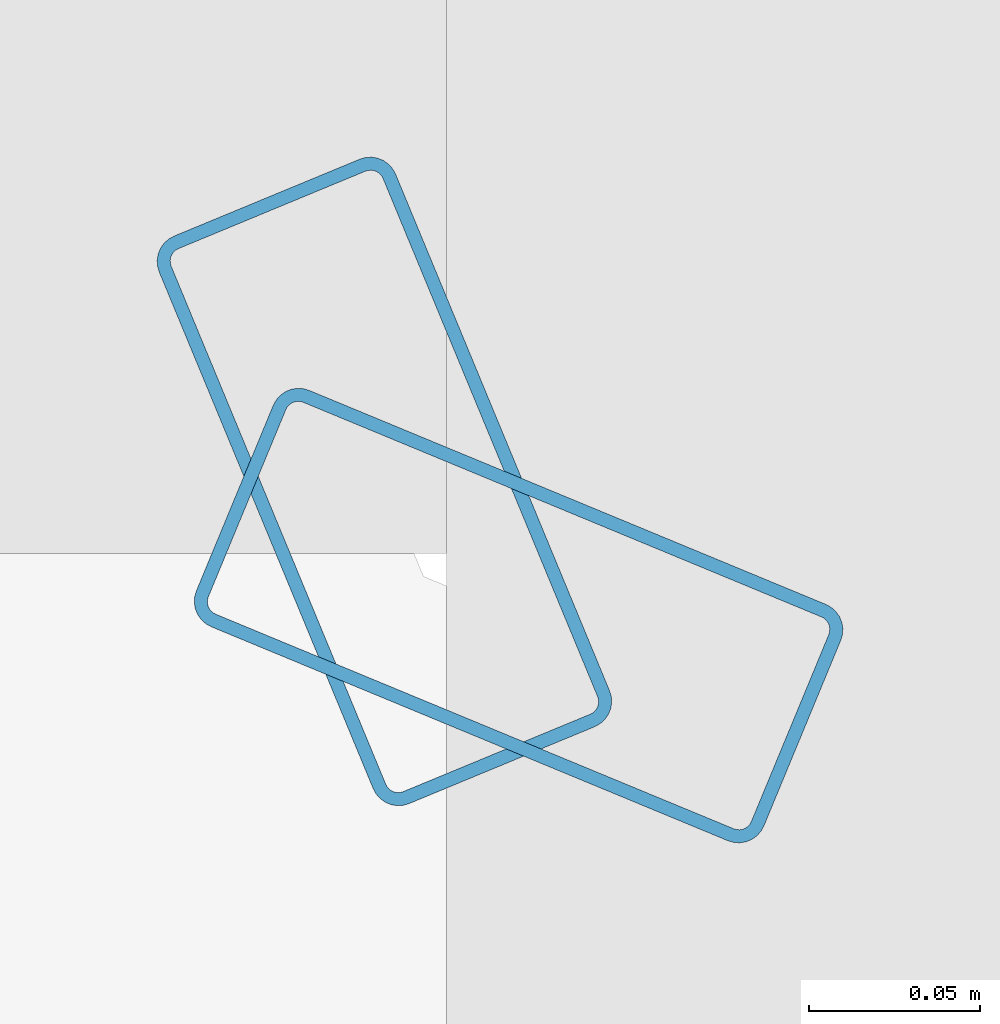
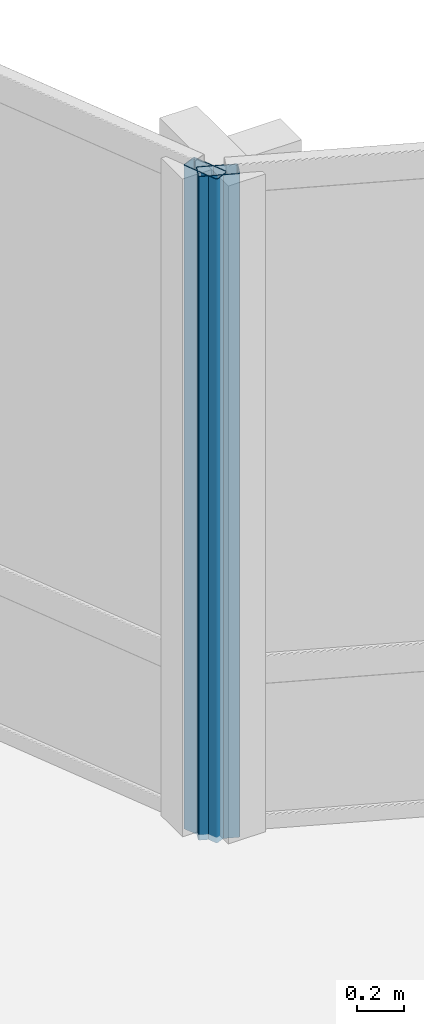
# One storey, part 8 of 34: 2 members, 2 elements without a shape of their own.
"""IFC4 building model written with IfcOpenShell, lengths in metres."""

from ifc_helpers import new_model, si_unit, direction, frame, origin, origin_2d, place, context, subcontext, project, spatial, hollow_rectangle, extrude, material, layer, layer_set, material_profile, profile_set, type_object, element, aggregate, save


model = new_model("IFC4")

# Units and contexts
model_context = context("Model", 3, precision=1e-05, world=origin(), true_north=direction((0.0, 1.0)))
body_context = subcontext(model_context, "Body", "Model", "MODEL_VIEW")
ifc_project = project(units=[si_unit("LENGTHUNIT", "METRE"), si_unit("AREAUNIT", "SQUARE_METRE"), si_unit("VOLUMEUNIT", "CUBIC_METRE"), si_unit("PLANEANGLEUNIT", "RADIAN"), si_unit("MASSUNIT", "GRAM", prefix="KILO")], contexts=[model_context])

# Site, building, storey
site_placement = place(None, origin())
site = spatial("IfcSite", under=ifc_project, at=site_placement, CompositionType="ELEMENT")
building_placement = place(site_placement, origin())
building = spatial("IfcBuilding", under=site, at=building_placement, Name="Solvaryn Broadcast Tower", CompositionType="ELEMENT")
storey_placement = place(building_placement, frame((0.0, 0.0, 39.699951171875)))
storey = spatial("IfcBuildingStorey", under=building, at=storey_placement, Name="L08", CompositionType="ELEMENT", Elevation=39.699951171875)

# Curtain wall, member
ifc_material_1 = material(Name="Aluminium and Terracotta Unitised Curtain Wall", Category="masonry")
ifc_layer = layer(ifc_material_1, 0.199951171875)
ifc_layer_set = layer_set([ifc_layer], Name="CW-SYS2-LOWMID")
curtain_wall_type = type_object("IfcCurtainWallType", Name="CW-SYS2-LOWMID", PredefinedType="NOTDEFINED", material=ifc_layer_set)
curtain_wall_1_placement = place(storey_placement, origin())
curtain_wall_1 = element("IfcCurtainWall", 1, at=curtain_wall_1_placement, inside=storey, type_object=curtain_wall_type, Name="L08 Curtain Wall CN1", PredefinedType="NOTDEFINED")
ifc_material_2 = material(Name="Anodised Aluminium 6063-T6", Category="aluminium")
ifc_material_profile = material_profile(ifc_material_2, hollow_rectangle(XDim=0.074951171875, YDim=0.179931640625, WallThickness=0.00390625, InnerFilletRadius=0.00390625, OuterFilletRadius=0.008056640625, at=origin_2d()))
ifc_profile_set = profile_set([ifc_material_profile], Name="Anodised Aluminium 6063-T6")
member_type = type_object("IfcMemberType", Name="CW-MUL-180", PredefinedType="MULLION", material=ifc_profile_set)
member_1_placement = place(storey_placement, frame((30.395751953125, 30.3564453125, 0.0), z_axis=(0.0, 0.0, 1.0), x_axis=(-0.382646127145, -0.923894983957, 0.0)))
member_1 = element("IfcMember", 2, at=member_1_placement, type_object=member_type, Name="CWS2 mullion 2", PredefinedType="MULLION", context=body_context, shape_type="SweptSolid", body=[
    extrude(hollow_rectangle(XDim=0.074951171875, YDim=0.179931640625, WallThickness=0.00390625, InnerFilletRadius=0.00390625, OuterFilletRadius=0.008056640625, at=origin_2d()), origin(), (0.0, 0.0, 1.0), 3.420166015625),
])
aggregate(curtain_wall_1, [member_1])

curtain_wall_2_placement = place(storey_placement, origin())
curtain_wall_2 = element("IfcCurtainWall", 3, at=curtain_wall_2_placement, inside=storey, type_object=curtain_wall_type, Name="L08 Curtain Wall CN2", PredefinedType="NOTDEFINED")
member_2_placement = place(storey_placement, frame((30.3564453125, 30.395751953125, 0.0), z_axis=(0.0, 0.0, 1.0), x_axis=(-0.923894983957, -0.382646127145, 0.0)))
member_2 = element("IfcMember", 4, at=member_2_placement, type_object=member_type, Name="CWS2 mullion 1", PredefinedType="MULLION", context=body_context, shape_type="SweptSolid", body=[
    extrude(hollow_rectangle(XDim=0.074951171875, YDim=0.179931640625, WallThickness=0.00390625, InnerFilletRadius=0.00390625, OuterFilletRadius=0.008056640625, at=origin_2d()), origin(), (0.0, 0.0, 1.0), 3.420166015625),
])
aggregate(curtain_wall_2, [member_2])

save(model, "model.ifc")
